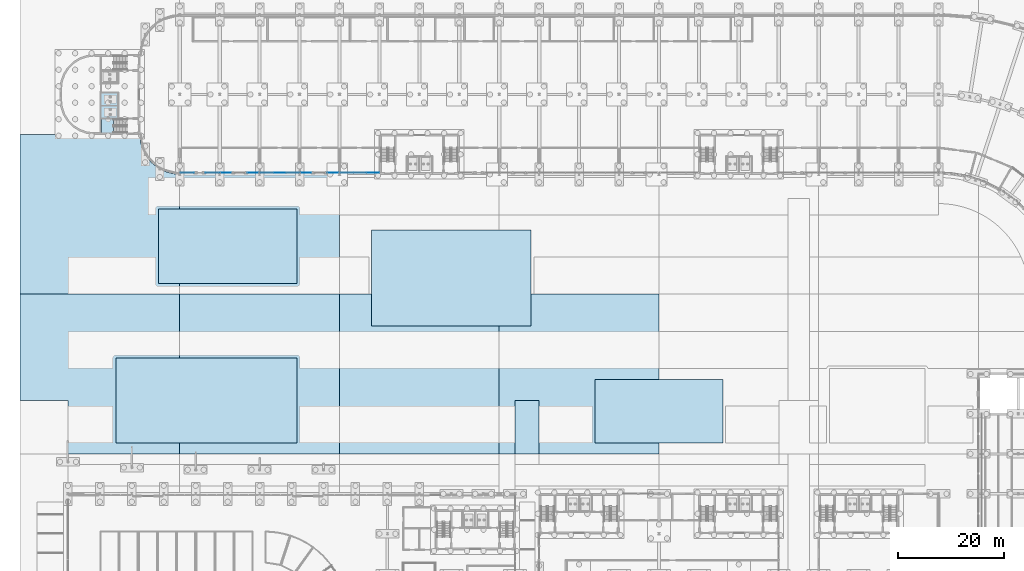
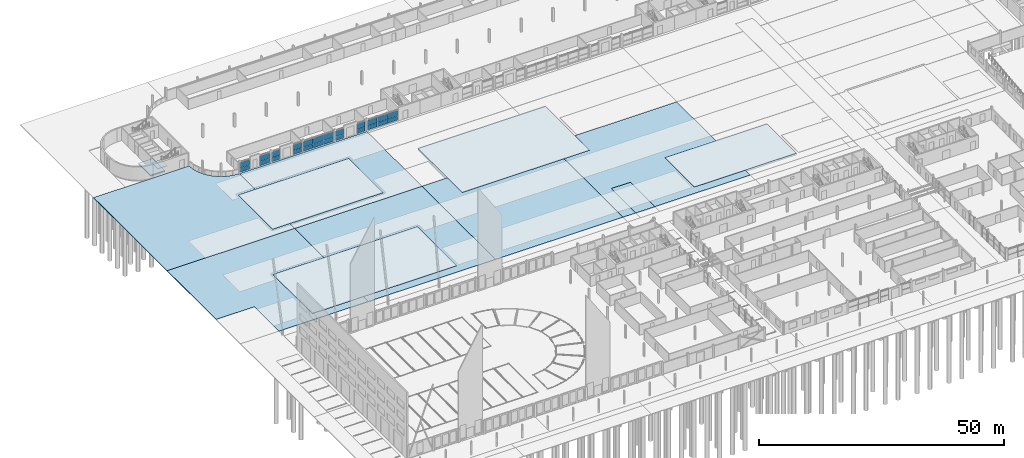
# One storey, part 68 of 130: 24 plates, 13 slabs, 9 elements without a shape of their own.
"""IFC4 building model written with IfcOpenShell, lengths in metres."""

from ifc_helpers import new_model, si_unit, direction, frame, origin, origin_2d, place, context, subcontext, project, spatial, polyline, rectangle, outline, extrude, material, layer, layer_set, type_object, element, aggregate, save


model = new_model("IFC4")

# Units and contexts
model_context = context("Model", 3, precision=1e-05, world=origin(), true_north=direction((0.0, 1.0)))
body_context = subcontext(model_context, "Body", "Model", "MODEL_VIEW")
ifc_project = project(units=[si_unit("LENGTHUNIT", "METRE"), si_unit("AREAUNIT", "SQUARE_METRE"), si_unit("VOLUMEUNIT", "CUBIC_METRE"), si_unit("PLANEANGLEUNIT", "RADIAN"), si_unit("MASSUNIT", "GRAM", prefix="KILO")], contexts=[model_context])

# Site, building, storey
site_placement = place(None, origin())
site = spatial("IfcSite", under=ifc_project, at=site_placement, CompositionType="ELEMENT")
building_placement = place(site_placement, origin())
building = spatial("IfcBuilding", under=site, at=building_placement, Name="Parallax Yard Mobility Hub", CompositionType="ELEMENT")
storey_placement = place(building_placement, origin())
storey = spatial("IfcBuildingStorey", under=building, at=storey_placement, Name="L00", CompositionType="ELEMENT", Elevation=0.0)

# Curtain wall, plates
ifc_material_1 = material(Name="Aluminium and glass curtain wall", Category="aluminium")
curtain_wall_type = type_object("IfcCurtainWallType", Name="Curtain wall, aluminium stick system", PredefinedType="NOTDEFINED", material=ifc_material_1)
curtain_wall_1_placement = place(storey_placement, origin())
curtain_wall_1 = element("IfcCurtainWall", 1, at=curtain_wall_1_placement, inside=storey, type_object=curtain_wall_type, Name="Curtain wall CW01 level L00 bay 1", PredefinedType="NOTDEFINED")
ifc_material_2 = material(Name="Glass, laminated double glazing", Category="glass")
ifc_layer_1 = layer(ifc_material_2, 0.028076171875)
ifc_layer_set_1 = layer_set([ifc_layer_1], Name="Curtain wall glass, laminated double glazing 28")
plate_type = type_object("IfcPlateType", Name="Curtain wall glass, laminated double glazing 28", PredefinedType="CURTAIN_PANEL", material=ifc_layer_set_1)
plate_1_placement = place(storey_placement, frame((31.40283203125, 112.800048828125, 0.06005859375), z_axis=(0.0, 0.0, 1.0), x_axis=(1.0, 0.0, 0.0)))
plate_1 = element("IfcPlate", 2, at=plate_1_placement, type_object=plate_type, Name="CW01 panel 1.1", PredefinedType="CURTAIN_PANEL", context=body_context, shape_type="SweptSolid", body=[
    extrude(rectangle(XDim=2.375732421875, YDim=0.028076171875, at=origin_2d()), origin(), (0.0, 0.0, 1.0), 0.9599609375),
])
plate_2_placement = place(storey_placement, frame((31.40283203125, 112.800048828125, 1.080078125), z_axis=(0.0, 0.0, 1.0), x_axis=(1.0, 0.0, 0.0)))
plate_2 = element("IfcPlate", 3, at=plate_2_placement, type_object=plate_type, Name="CW01 panel 1.2", PredefinedType="CURTAIN_PANEL", context=body_context, shape_type="SweptSolid", body=[
    extrude(rectangle(XDim=2.375732421875, YDim=0.028076171875, at=origin_2d()), origin(), (0.0, 0.0, 1.0), 1.360107421875),
])
aggregate(curtain_wall_1, [plate_1, plate_2])

curtain_wall_2_placement = place(storey_placement, origin())
curtain_wall_2 = element("IfcCurtainWall", 4, at=curtain_wall_2_placement, inside=storey, type_object=curtain_wall_type, Name="Curtain wall CW02 level L00 bay 1", PredefinedType="NOTDEFINED")
plate_3_placement = place(storey_placement, frame((36.0986328125, 112.800048828125, 0.06005859375), z_axis=(0.0, 0.0, 1.0), x_axis=(1.0, 0.0, 0.0)))
plate_3 = element("IfcPlate", 5, at=plate_3_placement, type_object=plate_type, Name="CW02 panel 1.1", PredefinedType="CURTAIN_PANEL", context=body_context, shape_type="SweptSolid", body=[
    extrude(rectangle(XDim=2.375732421875, YDim=0.028076171875, at=origin_2d()), origin(), (0.0, 0.0, 1.0), 0.9599609375),
])
plate_4_placement = place(storey_placement, frame((36.0986328125, 112.800048828125, 1.080078125), z_axis=(0.0, 0.0, 1.0), x_axis=(1.0, 0.0, 0.0)))
plate_4 = element("IfcPlate", 6, at=plate_4_placement, type_object=plate_type, Name="CW02 panel 1.2", PredefinedType="CURTAIN_PANEL", context=body_context, shape_type="SweptSolid", body=[
    extrude(rectangle(XDim=2.375732421875, YDim=0.028076171875, at=origin_2d()), origin(), (0.0, 0.0, 1.0), 1.360107421875),
])
aggregate(curtain_wall_2, [plate_3, plate_4])

curtain_wall_3_placement = place(storey_placement, origin())
curtain_wall_3 = element("IfcCurtainWall", 7, at=curtain_wall_3_placement, inside=storey, type_object=curtain_wall_type, Name="Curtain wall CW03 level L00 bay 2", PredefinedType="NOTDEFINED")
plate_5_placement = place(storey_placement, frame((38.70166015625, 112.800048828125, 0.06005859375), z_axis=(0.0, 0.0, 1.0), x_axis=(1.0, 0.0, 0.0)))
plate_5 = element("IfcPlate", 8, at=plate_5_placement, type_object=plate_type, Name="CW03 panel 1.1", PredefinedType="CURTAIN_PANEL", context=body_context, shape_type="SweptSolid", body=[
    extrude(rectangle(XDim=1.9765625, YDim=0.028076171875, at=origin_2d()), origin(), (0.0, 0.0, 1.0), 0.9599609375),
])
plate_6_placement = place(storey_placement, frame((38.70166015625, 112.800048828125, 1.080078125), z_axis=(0.0, 0.0, 1.0), x_axis=(1.0, 0.0, 0.0)))
plate_6 = element("IfcPlate", 9, at=plate_6_placement, type_object=plate_type, Name="CW03 panel 1.2", PredefinedType="CURTAIN_PANEL", context=body_context, shape_type="SweptSolid", body=[
    extrude(rectangle(XDim=1.9765625, YDim=0.028076171875, at=origin_2d()), origin(), (0.0, 0.0, 1.0), 1.360107421875),
])
aggregate(curtain_wall_3, [plate_5, plate_6])

curtain_wall_4_placement = place(storey_placement, origin())
curtain_wall_4 = element("IfcCurtainWall", 10, at=curtain_wall_4_placement, inside=storey, type_object=curtain_wall_type, Name="Curtain wall CW04 level L00 bay 2", PredefinedType="NOTDEFINED")
plate_7_placement = place(storey_placement, frame((43.79833984375, 112.800048828125, 0.06005859375), z_axis=(0.0, 0.0, 1.0), x_axis=(1.0, 0.0, 0.0)))
plate_7 = element("IfcPlate", 11, at=plate_7_placement, type_object=plate_type, Name="CW04 panel 1.1", PredefinedType="CURTAIN_PANEL", context=body_context, shape_type="SweptSolid", body=[
    extrude(rectangle(XDim=1.9765625, YDim=0.028076171875, at=origin_2d()), origin(), (0.0, 0.0, 1.0), 0.9599609375),
])
plate_8_placement = place(storey_placement, frame((43.79833984375, 112.800048828125, 1.080078125), z_axis=(0.0, 0.0, 1.0), x_axis=(1.0, 0.0, 0.0)))
plate_8 = element("IfcPlate", 12, at=plate_8_placement, type_object=plate_type, Name="CW04 panel 1.2", PredefinedType="CURTAIN_PANEL", context=body_context, shape_type="SweptSolid", body=[
    extrude(rectangle(XDim=1.9765625, YDim=0.028076171875, at=origin_2d()), origin(), (0.0, 0.0, 1.0), 1.360107421875),
])
aggregate(curtain_wall_4, [plate_7, plate_8])

curtain_wall_5_placement = place(storey_placement, origin())
curtain_wall_5 = element("IfcCurtainWall", 13, at=curtain_wall_5_placement, inside=storey, type_object=curtain_wall_type, Name="Curtain wall CW05 level L00 bay 3", PredefinedType="NOTDEFINED")
plate_9_placement = place(storey_placement, frame((46.367431640625, 112.800048828125, 0.06005859375), z_axis=(0.0, 0.0, 1.0), x_axis=(1.0, 0.0, 0.0)))
plate_9 = element("IfcPlate", 14, at=plate_9_placement, type_object=plate_type, Name="CW05 panel 1.1", PredefinedType="CURTAIN_PANEL", context=body_context, shape_type="SweptSolid", body=[
    extrude(rectangle(XDim=2.3076171875, YDim=0.028076171875, at=origin_2d()), origin(), (0.0, 0.0, 1.0), 0.9599609375),
])
plate_10_placement = place(storey_placement, frame((46.367431640625, 112.800048828125, 1.080078125), z_axis=(0.0, 0.0, 1.0), x_axis=(1.0, 0.0, 0.0)))
plate_10 = element("IfcPlate", 15, at=plate_10_placement, type_object=plate_type, Name="CW05 panel 1.2", PredefinedType="CURTAIN_PANEL", context=body_context, shape_type="SweptSolid", body=[
    extrude(rectangle(XDim=2.3076171875, YDim=0.028076171875, at=origin_2d()), origin(), (0.0, 0.0, 1.0), 1.360107421875),
])
plate_11_placement = place(storey_placement, frame((48.75, 112.800048828125, 0.06005859375), z_axis=(0.0, 0.0, 1.0), x_axis=(1.0, 0.0, 0.0)))
plate_11 = element("IfcPlate", 16, at=plate_11_placement, type_object=plate_type, Name="CW05 panel 2.1", PredefinedType="CURTAIN_PANEL", context=body_context, shape_type="SweptSolid", body=[
    extrude(rectangle(XDim=2.337646484375, YDim=0.028076171875, at=origin_2d()), origin(), (0.0, 0.0, 1.0), 0.9599609375),
])
plate_12_placement = place(storey_placement, frame((48.75, 112.800048828125, 1.080078125), z_axis=(0.0, 0.0, 1.0), x_axis=(1.0, 0.0, 0.0)))
plate_12 = element("IfcPlate", 17, at=plate_12_placement, type_object=plate_type, Name="CW05 panel 2.2", PredefinedType="CURTAIN_PANEL", context=body_context, shape_type="SweptSolid", body=[
    extrude(rectangle(XDim=2.337646484375, YDim=0.028076171875, at=origin_2d()), origin(), (0.0, 0.0, 1.0), 1.360107421875),
])
plate_13_placement = place(storey_placement, frame((51.132568359375, 112.800048828125, 0.06005859375), z_axis=(0.0, 0.0, 1.0), x_axis=(1.0, 0.0, 0.0)))
plate_13 = element("IfcPlate", 18, at=plate_13_placement, type_object=plate_type, Name="CW05 panel 3.1", PredefinedType="CURTAIN_PANEL", context=body_context, shape_type="SweptSolid", body=[
    extrude(rectangle(XDim=2.3076171875, YDim=0.028076171875, at=origin_2d()), origin(), (0.0, 0.0, 1.0), 0.9599609375),
])
plate_14_placement = place(storey_placement, frame((51.132568359375, 112.800048828125, 1.080078125), z_axis=(0.0, 0.0, 1.0), x_axis=(1.0, 0.0, 0.0)))
plate_14 = element("IfcPlate", 19, at=plate_14_placement, type_object=plate_type, Name="CW05 panel 3.2", PredefinedType="CURTAIN_PANEL", context=body_context, shape_type="SweptSolid", body=[
    extrude(rectangle(XDim=2.3076171875, YDim=0.028076171875, at=origin_2d()), origin(), (0.0, 0.0, 1.0), 1.360107421875),
])
aggregate(curtain_wall_5, [plate_9, plate_10, plate_11, plate_12, plate_13, plate_14])

curtain_wall_6_placement = place(storey_placement, origin())
curtain_wall_6 = element("IfcCurtainWall", 20, at=curtain_wall_6_placement, inside=storey, type_object=curtain_wall_type, Name="Curtain wall CW06 level L00 bay 4", PredefinedType="NOTDEFINED")
plate_15_placement = place(storey_placement, frame((53.69091796875, 112.800048828125, 0.06005859375), z_axis=(0.0, 0.0, 1.0), x_axis=(1.0, 0.0, 0.0)))
plate_15 = element("IfcPlate", 21, at=plate_15_placement, type_object=plate_type, Name="CW06 panel 1.1", PredefinedType="CURTAIN_PANEL", context=body_context, shape_type="SweptSolid", body=[
    extrude(rectangle(XDim=1.954833984375, YDim=0.028076171875, at=origin_2d()), origin(), (0.0, 0.0, 1.0), 0.9599609375),
])
plate_16_placement = place(storey_placement, frame((53.69091796875, 112.800048828125, 1.080078125), z_axis=(0.0, 0.0, 1.0), x_axis=(1.0, 0.0, 0.0)))
plate_16 = element("IfcPlate", 22, at=plate_16_placement, type_object=plate_type, Name="CW06 panel 1.2", PredefinedType="CURTAIN_PANEL", context=body_context, shape_type="SweptSolid", body=[
    extrude(rectangle(XDim=1.954833984375, YDim=0.028076171875, at=origin_2d()), origin(), (0.0, 0.0, 1.0), 1.360107421875),
])
aggregate(curtain_wall_6, [plate_15, plate_16])

curtain_wall_7_placement = place(storey_placement, origin())
curtain_wall_7 = element("IfcCurtainWall", 23, at=curtain_wall_7_placement, inside=storey, type_object=curtain_wall_type, Name="Curtain wall CW07 level L00 bay 4", PredefinedType="NOTDEFINED")
plate_17_placement = place(storey_placement, frame((58.765625, 112.800048828125, 0.06005859375), z_axis=(0.0, 0.0, 1.0), x_axis=(1.0, 0.0, 0.0)))
plate_17 = element("IfcPlate", 24, at=plate_17_placement, type_object=plate_type, Name="CW07 panel 1.1", PredefinedType="CURTAIN_PANEL", context=body_context, shape_type="SweptSolid", body=[
    extrude(rectangle(XDim=1.95458984375, YDim=0.028076171875, at=origin_2d()), origin(), (0.0, 0.0, 1.0), 0.9599609375),
])
plate_18_placement = place(storey_placement, frame((58.765625, 112.800048828125, 1.080078125), z_axis=(0.0, 0.0, 1.0), x_axis=(1.0, 0.0, 0.0)))
plate_18 = element("IfcPlate", 25, at=plate_18_placement, type_object=plate_type, Name="CW07 panel 1.2", PredefinedType="CURTAIN_PANEL", context=body_context, shape_type="SweptSolid", body=[
    extrude(rectangle(XDim=1.95458984375, YDim=0.028076171875, at=origin_2d()), origin(), (0.0, 0.0, 1.0), 1.360107421875),
])
aggregate(curtain_wall_7, [plate_17, plate_18])

curtain_wall_8_placement = place(storey_placement, origin())
curtain_wall_8 = element("IfcCurtainWall", 26, at=curtain_wall_8_placement, inside=storey, type_object=curtain_wall_type, Name="Curtain wall CW08 level L00 bay 5", PredefinedType="NOTDEFINED")
plate_19_placement = place(storey_placement, frame((61.42822265625, 112.800048828125, 0.06005859375), z_axis=(0.0, 0.0, 1.0), x_axis=(1.0, 0.0, 0.0)))
plate_19 = element("IfcPlate", 27, at=plate_19_placement, type_object=plate_type, Name="CW08 panel 1.1", PredefinedType="CURTAIN_PANEL", context=body_context, shape_type="SweptSolid", body=[
    extrude(rectangle(XDim=2.3427734375, YDim=0.028076171875, at=origin_2d()), origin(), (0.0, 0.0, 1.0), 0.9599609375),
])
plate_20_placement = place(storey_placement, frame((61.42822265625, 112.800048828125, 1.080078125), z_axis=(0.0, 0.0, 1.0), x_axis=(1.0, 0.0, 0.0)))
plate_20 = element("IfcPlate", 28, at=plate_20_placement, type_object=plate_type, Name="CW08 panel 1.2", PredefinedType="CURTAIN_PANEL", context=body_context, shape_type="SweptSolid", body=[
    extrude(rectangle(XDim=2.3427734375, YDim=0.028076171875, at=origin_2d()), origin(), (0.0, 0.0, 1.0), 1.360107421875),
])
plate_21_placement = place(storey_placement, frame((63.845947265625, 112.800048828125, 0.06005859375), z_axis=(0.0, 0.0, 1.0), x_axis=(1.0, 0.0, 0.0)))
plate_21 = element("IfcPlate", 29, at=plate_21_placement, type_object=plate_type, Name="CW08 panel 2.1", PredefinedType="CURTAIN_PANEL", context=body_context, shape_type="SweptSolid", body=[
    extrude(rectangle(XDim=2.37255859375, YDim=0.028076171875, at=origin_2d()), origin(), (0.0, 0.0, 1.0), 0.9599609375),
])
plate_22_placement = place(storey_placement, frame((63.845947265625, 112.800048828125, 1.080078125), z_axis=(0.0, 0.0, 1.0), x_axis=(1.0, 0.0, 0.0)))
plate_22 = element("IfcPlate", 30, at=plate_22_placement, type_object=plate_type, Name="CW08 panel 2.2", PredefinedType="CURTAIN_PANEL", context=body_context, shape_type="SweptSolid", body=[
    extrude(rectangle(XDim=2.37255859375, YDim=0.028076171875, at=origin_2d()), origin(), (0.0, 0.0, 1.0), 1.360107421875),
])
plate_23_placement = place(storey_placement, frame((66.263671875, 112.800048828125, 0.06005859375), z_axis=(0.0, 0.0, 1.0), x_axis=(1.0, 0.0, 0.0)))
plate_23 = element("IfcPlate", 31, at=plate_23_placement, type_object=plate_type, Name="CW08 panel 3.1", PredefinedType="CURTAIN_PANEL", context=body_context, shape_type="SweptSolid", body=[
    extrude(rectangle(XDim=2.3427734375, YDim=0.028076171875, at=origin_2d()), origin(), (0.0, 0.0, 1.0), 0.9599609375),
])
plate_24_placement = place(storey_placement, frame((66.263671875, 112.800048828125, 1.080078125), z_axis=(0.0, 0.0, 1.0), x_axis=(1.0, 0.0, 0.0)))
plate_24 = element("IfcPlate", 32, at=plate_24_placement, type_object=plate_type, Name="CW08 panel 3.2", PredefinedType="CURTAIN_PANEL", context=body_context, shape_type="SweptSolid", body=[
    extrude(rectangle(XDim=2.3427734375, YDim=0.028076171875, at=origin_2d()), origin(), (0.0, 0.0, 1.0), 1.360107421875),
])
aggregate(curtain_wall_8, [plate_19, plate_20, plate_21, plate_22, plate_23, plate_24])

# Stair, slab
ifc_material_3 = material(Name="Concrete fc' 35 MPa", Category="concrete")
stair_type = type_object("IfcStairType", Name="Exit stair 1200 dog-leg", PredefinedType="HALF_TURN_STAIR", material=ifc_material_3)
stair_placement = place(storey_placement, origin())
stair = element("IfcStair", 33, at=stair_placement, inside=storey, type_object=stair_type, Name="L00 Exit stair 1 of core C-W", PredefinedType="HALF_TURN_STAIR")
ifc_layer_2 = layer(ifc_material_3, 0.199951171875)
ifc_layer_set_2 = layer_set([ifc_layer_2], Name="Exit stair landing 200")
slab_type_1 = type_object("IfcSlabType", Name="Exit stair landing 200", PredefinedType="LANDING", material=ifc_layer_set_2)
slab_1_placement = place(storey_placement, frame((0.0, 0.0, 1.449951171875)))
slab_1 = element("IfcSlab", 34, at=slab_1_placement, type_object=slab_type_1, Name="ST1 landing 1", PredefinedType="LANDING", context=body_context, shape_type="SweptSolid", body=[
    extrude(outline(polyline([(17.534912109375, 122.85009765625), (15.300048828125, 122.85009765625), (15.300048828125, 120.300048828125), (17.534912109375, 120.300048828125), (17.534912109375, 122.85009765625)])), origin(), (0.0, 0.0, 1.0), 0.199951171875),
])
aggregate(stair, [slab_1])

# Slabs
ifc_material_4 = material(Name="Concrete fc' 28 MPa", Category="concrete")
ifc_layer_3 = layer(ifc_material_4, 0.300048828125)
ifc_layer_set_3 = layer_set([ifc_layer_3], Name="Lift pit slab 300")
slab_type_2 = type_object("IfcSlabType", Name="Lift pit slab 300", PredefinedType="BASESLAB", material=ifc_layer_set_3)
slab_2_placement = place(storey_placement, frame((0.0, 0.0, -1.800048828125)))
element("IfcSlab", 35, at=slab_2_placement, inside=storey, type_object=slab_type_2, Name="Core C-W lift pit slab (shaft group 1)", PredefinedType="BASESLAB", context=body_context, shape_type="SweptSolid", body=[
    extrude(outline(polyline([(18.5, 122.89990234375), (18.5, 127.89990234375), (15.10009765625, 127.89990234375), (15.10009765625, 122.89990234375), (18.5, 122.89990234375)])), origin(), (0.0, 0.0, 1.0), 0.300048828125),
])
ifc_material_5 = material(Name="Planting soil on drainage layer")
ifc_layer_4 = layer(ifc_material_5, 0.449951171875)
ifc_layer_set_4 = layer_set([ifc_layer_4], Name="Planting bed 450 soil on drainage layer")
slab_type_3 = type_object("IfcSlabType", Name="Planting bed 450 soil on drainage layer", PredefinedType="FLOOR", material=ifc_layer_set_4)
slab_3_placement = place(storey_placement, frame((0.0, 0.0, -0.449951171875)))
element("IfcSlab", 36, at=slab_3_placement, inside=storey, type_object=slab_type_3, Name="Planting bed 01", PredefinedType="FLOOR", context=body_context, shape_type="SweptSolid", body=[
    extrude(outline(polyline([(18.0, 62.0), (52.0, 62.0), (52.0, 78.0), (18.0, 78.0), (18.0, 62.0)])), origin(), (0.0, 0.0, 1.0), 0.449951171875),
])
slab_4_placement = place(storey_placement, frame((0.0, 0.0, -0.449951171875)))
element("IfcSlab", 37, at=slab_4_placement, inside=storey, type_object=slab_type_3, Name="Planting bed 02", PredefinedType="FLOOR", context=body_context, shape_type="SweptSolid", body=[
    extrude(outline(polyline([(66.0, 84.0), (96.0, 84.0), (96.0, 102.0), (66.0, 102.0), (66.0, 84.0)])), origin(), (0.0, 0.0, 1.0), 0.449951171875),
])
slab_5_placement = place(storey_placement, frame((0.0, 0.0, -0.449951171875)))
element("IfcSlab", 38, at=slab_5_placement, inside=storey, type_object=slab_type_3, Name="Planting bed 03", PredefinedType="FLOOR", context=body_context, shape_type="SweptSolid", body=[
    extrude(outline(polyline([(108.0, 62.0), (132.0, 62.0), (132.0, 74.0), (108.0, 74.0), (108.0, 62.0)])), origin(), (0.0, 0.0, 1.0), 0.449951171875),
])
slab_6_placement = place(storey_placement, frame((0.0, 0.0, -0.449951171875)))
element("IfcSlab", 39, at=slab_6_placement, inside=storey, type_object=slab_type_3, Name="Planting bed 05", PredefinedType="FLOOR", context=body_context, shape_type="SweptSolid", body=[
    extrude(outline(polyline([(26.0, 92.0), (52.0, 92.0), (52.0, 106.0), (26.0, 106.0), (26.0, 92.0)])), origin(), (0.0, 0.0, 1.0), 0.449951171875),
])
ifc_layer_5 = layer(ifc_material_4, 0.14990234375)
ifc_layer_set_5 = layer_set([ifc_layer_5], Name="Public yard paving 150")
slab_type_4 = type_object("IfcSlabType", Name="Public yard paving 150", PredefinedType="FLOOR", material=ifc_layer_set_5)
slab_7_placement = place(storey_placement, frame((0.0, 0.0, -0.14990234375)))
element("IfcSlab", 40, at=slab_7_placement, inside=storey, type_object=slab_type_4, Name="Public yard paving panel 2", PredefinedType="FLOOR", context=body_context, shape_type="SweptSolid", body=[
    extrude(outline(polyline([(9.0, 70.0), (0.0, 70.0), (0.0, 90.0), (30.0, 90.0), (30.0, 78.0), (18.0, 78.0), (18.0, 62.0), (30.0, 62.0), (30.0, 60.0), (9.0, 60.0), (9.0, 70.0)])), origin(), (0.0, 0.0, 1.0), 0.14990234375),
])
slab_8_placement = place(storey_placement, frame((0.0, 0.0, -0.14990234375)))
element("IfcSlab", 41, at=slab_8_placement, inside=storey, type_object=slab_type_4, Name="Public yard paving panel 3", PredefinedType="FLOOR", context=body_context, shape_type="SweptSolid", body=[
    extrude(outline(polyline([(22.4990234375, 120.0), (22.4990234375, 120.0), (22.64306640625, 118.53662109375), (22.64306640625, 118.53662109375), (22.64306640625, 118.53662109375), (23.06982421875, 117.129638671875), (23.070068359375, 117.12939453125), (23.070068359375, 117.12939453125), (23.76318359375, 115.832763671875), (23.76318359375, 115.83251953125), (23.76318359375, 115.83251953125), (24.69580078125, 114.696044921875), (24.696044921875, 114.696044921875), (24.696044921875, 114.69580078125), (25.83251953125, 113.76318359375), (25.83251953125, 113.76318359375), (25.832763671875, 113.76318359375), (27.12939453125, 113.070068359375), (27.12939453125, 113.070068359375), (27.129638671875, 113.06982421875), (28.53662109375, 112.64306640625), (28.53662109375, 112.64306640625), (28.53662109375, 112.64306640625), (29.89990234375, 112.5087890625), (29.89990234375, 112.5087890625), (29.900146484375, 112.5087890625), (29.900146484375, 112.5087890625), (29.900390625, 112.5087890625), (29.900390625, 112.5087890625), (29.900390625, 112.5087890625), (29.900634765625, 112.509033203125), (29.900634765625, 112.509033203125), (29.900634765625, 112.509033203125), (29.90087890625, 112.50927734375), (29.90087890625, 112.50927734375), (29.90087890625, 112.50927734375), (29.90087890625, 112.509521484375), (29.90087890625, 112.509521484375), (29.90087890625, 112.509521484375), (29.90087890625, 112.509765625), (29.90087890625, 112.509765625), (30.0, 112.5), (30.0, 106.0), (26.0, 106.0), (26.0, 92.0), (30.0, 92.0), (30.0, 90.0), (0.0, 90.0), (0.0, 120.0), (7.5, 120.0), (22.4990234375, 120.0)])), origin(), (0.0, 0.0, 1.0), 0.14990234375),
])
slab_9_placement = place(storey_placement, frame((0.0, 0.0, -0.14990234375)))
element("IfcSlab", 42, at=slab_9_placement, inside=storey, type_object=slab_type_4, Name="Public yard paving panel 6", PredefinedType="FLOOR", context=body_context, shape_type="SweptSolid", body=[
    extrude(outline(polyline([(52.0, 62.0), (52.0, 78.0), (30.0, 78.0), (30.0, 90.0), (60.0, 90.0), (60.0, 60.0), (30.0, 60.0), (30.0, 62.0), (52.0, 62.0)])), origin(), (0.0, 0.0, 1.0), 0.14990234375),
])
slab_10_placement = place(storey_placement, frame((0.0, 0.0, -0.14990234375)))
element("IfcSlab", 43, at=slab_10_placement, inside=storey, type_object=slab_type_4, Name="Public yard paving panel 7", PredefinedType="FLOOR", context=body_context, shape_type="SweptSolid", body=[
    extrude(outline(polyline([(30.09912109375, 112.5), (30.09912109375, 112.5), (30.09912109375, 112.499755859375), (30.09912109375, 112.499755859375), (30.09912109375, 112.49951171875), (30.09912109375, 112.49951171875), (30.09912109375, 112.49951171875), (30.09912109375, 112.49951171875), (30.099365234375, 112.499267578125), (30.099365234375, 112.499267578125), (30.099365234375, 112.499267578125), (30.099609375, 112.4990234375), (30.099609375, 112.4990234375), (30.099609375, 112.4990234375), (30.099853515625, 112.4990234375), (30.099853515625, 112.4990234375), (30.10009765625, 112.4990234375), (44.89990234375, 112.4990234375), (44.900146484375, 112.4990234375), (44.900146484375, 112.4990234375), (44.900390625, 112.4990234375), (44.900390625, 112.4990234375), (44.900390625, 112.4990234375), (44.900634765625, 112.499267578125), (44.900634765625, 112.499267578125), (44.900634765625, 112.499267578125), (44.90087890625, 112.49951171875), (44.90087890625, 112.49951171875), (44.90087890625, 112.49951171875), (44.90087890625, 112.49951171875), (44.90087890625, 112.499755859375), (44.90087890625, 112.499755859375), (44.90087890625, 112.5), (44.90087890625, 112.5), (45.09912109375, 112.5), (45.09912109375, 112.5), (45.09912109375, 112.499755859375), (45.09912109375, 112.499755859375), (45.09912109375, 112.49951171875), (45.09912109375, 112.49951171875), (45.09912109375, 112.49951171875), (45.09912109375, 112.49951171875), (45.099365234375, 112.499267578125), (45.099365234375, 112.499267578125), (45.099365234375, 112.499267578125), (45.099609375, 112.4990234375), (45.099609375, 112.4990234375), (45.099609375, 112.4990234375), (45.099853515625, 112.4990234375), (45.099853515625, 112.4990234375), (45.10009765625, 112.4990234375), (52.39990234375, 112.4990234375), (52.400146484375, 112.4990234375), (52.400146484375, 112.4990234375), (52.400390625, 112.4990234375), (52.400390625, 112.4990234375), (52.400390625, 112.4990234375), (52.400634765625, 112.499267578125), (52.400634765625, 112.499267578125), (52.400634765625, 112.499267578125), (52.40087890625, 112.49951171875), (52.40087890625, 112.49951171875), (52.40087890625, 112.49951171875), (52.40087890625, 112.49951171875), (52.40087890625, 112.499755859375), (52.40087890625, 112.499755859375), (52.40087890625, 112.5), (52.40087890625, 112.5), (52.59912109375, 112.5), (52.59912109375, 112.5), (52.59912109375, 112.499755859375), (52.59912109375, 112.499755859375), (52.59912109375, 112.49951171875), (52.59912109375, 112.49951171875), (52.59912109375, 112.49951171875), (52.59912109375, 112.49951171875), (52.599365234375, 112.499267578125), (52.599365234375, 112.499267578125), (52.599365234375, 112.499267578125), (52.599609375, 112.4990234375), (52.599609375, 112.4990234375), (52.599609375, 112.4990234375), (52.599853515625, 112.4990234375), (52.599853515625, 112.4990234375), (52.60009765625, 112.4990234375), (59.89990234375, 112.4990234375), (59.900146484375, 112.4990234375), (59.900146484375, 112.4990234375), (59.900390625, 112.4990234375), (59.900390625, 112.4990234375), (59.900390625, 112.4990234375), (59.900634765625, 112.499267578125), (59.900634765625, 112.499267578125), (59.900634765625, 112.499267578125), (59.90087890625, 112.49951171875), (59.90087890625, 112.49951171875), (59.90087890625, 112.49951171875), (59.90087890625, 112.49951171875), (59.90087890625, 112.499755859375), (59.90087890625, 112.499755859375), (59.90087890625, 112.5), (59.90087890625, 112.5), (60.0, 112.5), (60.0, 90.0), (30.0, 90.0), (30.0, 92.0), (52.0, 92.0), (52.0, 106.0), (30.0, 106.0), (30.0, 112.5), (30.09912109375, 112.5)])), origin(), (0.0, 0.0, 1.0), 0.14990234375),
])
slab_11_placement = place(storey_placement, frame((0.0, 0.0, -0.14990234375)))
element("IfcSlab", 44, at=slab_11_placement, inside=storey, type_object=slab_type_4, Name="Public yard paving panel 10", PredefinedType="FLOOR", context=body_context, shape_type="SweptSolid", body=[
    extrude(outline(polyline([(66.0, 84.0), (90.0, 84.0), (90.0, 60.0), (60.0, 60.0), (60.0, 90.0), (66.0, 90.0), (66.0, 84.0)])), origin(), (0.0, 0.0, 1.0), 0.14990234375),
])
slab_12_placement = place(storey_placement, frame((0.0, 0.0, -0.14990234375)))
element("IfcSlab", 45, at=slab_12_placement, inside=storey, type_object=slab_type_4, Name="Public yard paving panel 15", PredefinedType="FLOOR", context=body_context, shape_type="SweptSolid", body=[
    extrude(outline(polyline([(97.5, 70.0), (93.0, 70.0), (93.0, 60.0), (90.0, 60.0), (90.0, 84.0), (96.0, 84.0), (96.0, 90.0), (120.0, 90.0), (120.0, 74.0), (108.0, 74.0), (108.0, 62.0), (120.0, 62.0), (120.0, 60.0), (97.5, 60.0), (97.5, 70.0)])), origin(), (0.0, 0.0, 1.0), 0.14990234375),
])
ifc_layer_6 = layer(ifc_material_4, 0.199951171875)
ifc_layer_set_6 = layer_set([ifc_layer_6], Name="Taxi apron paving, Concrete fc' 28 MPa reinforced, 200")
slab_type_5 = type_object("IfcSlabType", Name="Taxi apron paving, Concrete fc' 28 MPa reinforced, 200", PredefinedType="FLOOR", material=ifc_layer_set_6)
slab_13_placement = place(storey_placement, frame((0.0, 0.0, -0.199951171875)))
element("IfcSlab", 46, at=slab_13_placement, inside=storey, type_object=slab_type_5, Name="Taxi apron paving panel 3", PredefinedType="FLOOR", context=body_context, shape_type="SweptSolid", body=[
    extrude(outline(polyline([(93.0, 70.0), (97.5, 70.0), (97.5, 60.0), (93.0, 60.0), (93.0, 70.0)])), origin(), (0.0, 0.0, 1.0), 0.199951171875),
])

save(model, "model.ifc")
